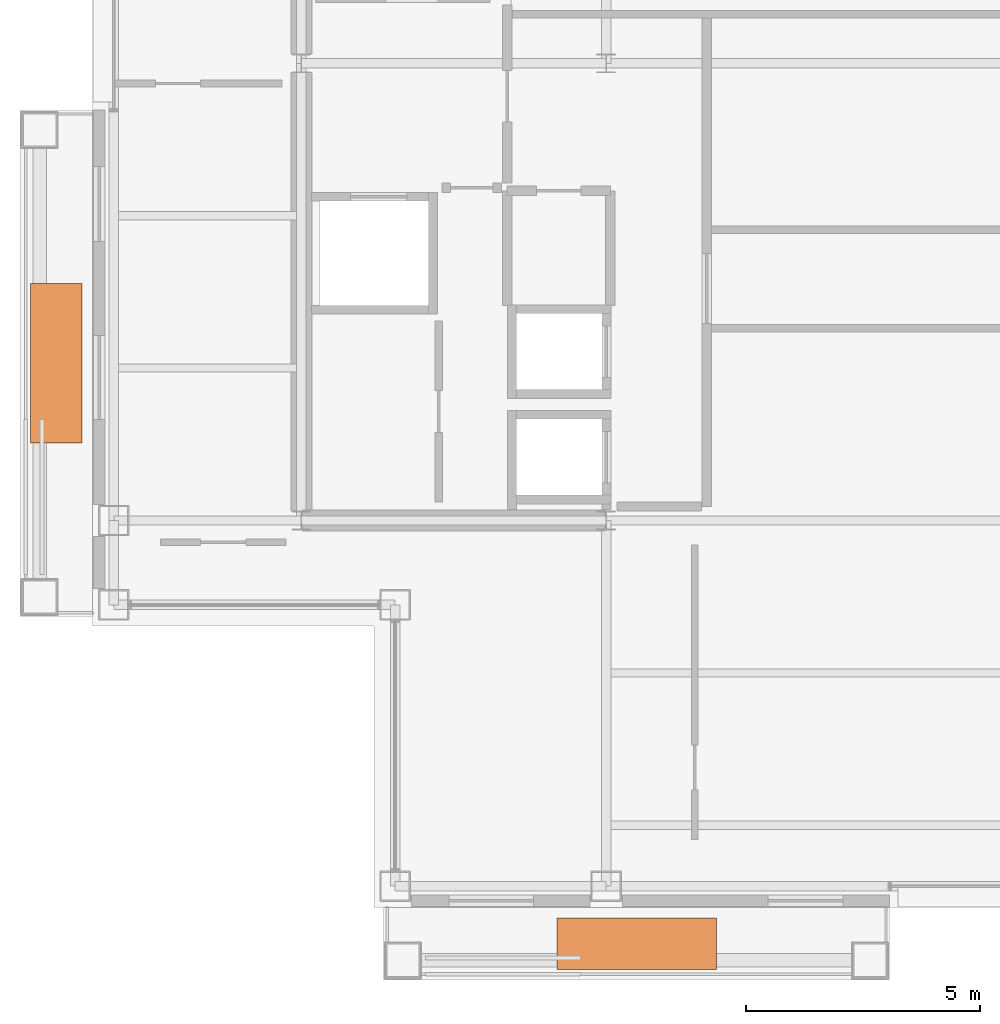
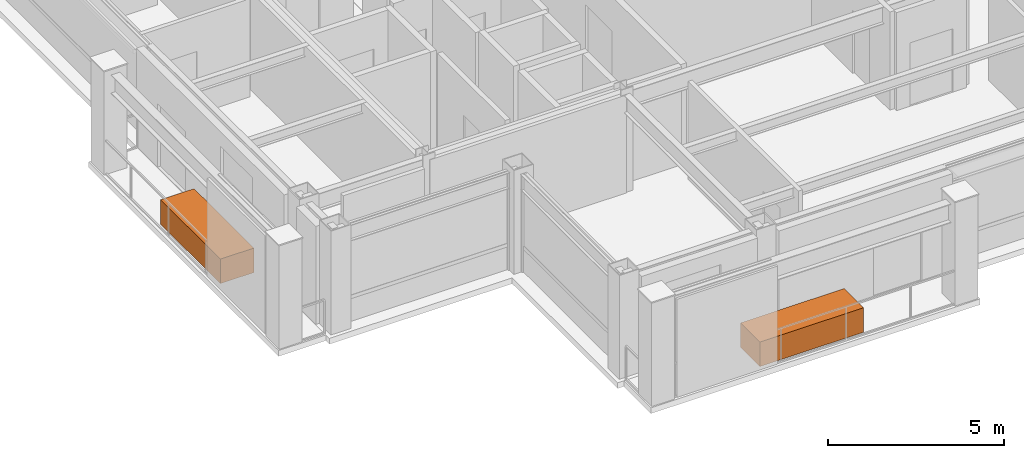
# One storey, part 26 of 26: 2 proxies.
"""IFC4 building model written with IfcOpenShell, lengths in metres."""

from ifc_helpers import new_model, si_unit, direction, frame, origin, origin_2d, place, context, subcontext, project, spatial, rectangle, extrude, material, type_object, element, save


model = new_model("IFC4")

# Units and contexts
model_context = context("Model", 3, precision=1e-05, world=origin(), true_north=direction((0.0, 1.0)))
body_context = subcontext(model_context, "Body", "Model", "MODEL_VIEW")
ifc_project = project(units=[si_unit("LENGTHUNIT", "METRE"), si_unit("AREAUNIT", "SQUARE_METRE"), si_unit("VOLUMEUNIT", "CUBIC_METRE"), si_unit("PLANEANGLEUNIT", "RADIAN"), si_unit("MASSUNIT", "GRAM", prefix="KILO")], contexts=[model_context])

# Site, building, storey
site_placement = place(None, origin())
site = spatial("IfcSite", under=ifc_project, at=site_placement, CompositionType="ELEMENT")
building_placement = place(site_placement, origin())
building = spatial("IfcBuilding", under=site, at=building_placement, Name="Brelmoor Portico Tower", CompositionType="ELEMENT")
storey_placement = place(building_placement, frame((0.0, 0.0, 247.199951171875)))
storey = spatial("IfcBuildingStorey", under=building, at=storey_placement, Name="L65", CompositionType="ELEMENT", Elevation=247.199951171875)

# Proxies
ifc_material = material(Name="Architectural Precast Concrete C40", Category="concrete")
building_element_proxy_type = type_object("IfcBuildingElementProxyType", Name="TREE PLANTER", PredefinedType="USERDEFINED", material=ifc_material)
for number, where, z_axis, x_axis, name in (
    (1, (-7.39990234375, -18.77490234375, 0.0), (0.0, 0.0, 1.0), (1.0, 0.0, 0.0), "L65 Planted Tree Planter S"),
    (2, (-19.77490234375, -6.39990234375, 0.0), (0.0, 0.0, 1.0), (0.0, 1.0, 0.0), "L65 Planted Tree Planter W"),
):
    element("IfcBuildingElementProxy", number, at=place(storey_placement, frame(where, z_axis=z_axis, x_axis=x_axis)), inside=storey, type_object=building_element_proxy_type, Name=name, ObjectType="PLANTER", PredefinedType="USERDEFINED", context=body_context, shape_type="SweptSolid", body=[
        extrude(rectangle(XDim=3.39990234375, YDim=1.10009765625, at=origin_2d()), origin(), (0.0, 0.0, 1.0), 0.85009765625),
    ])

save(model, "model.ifc")
